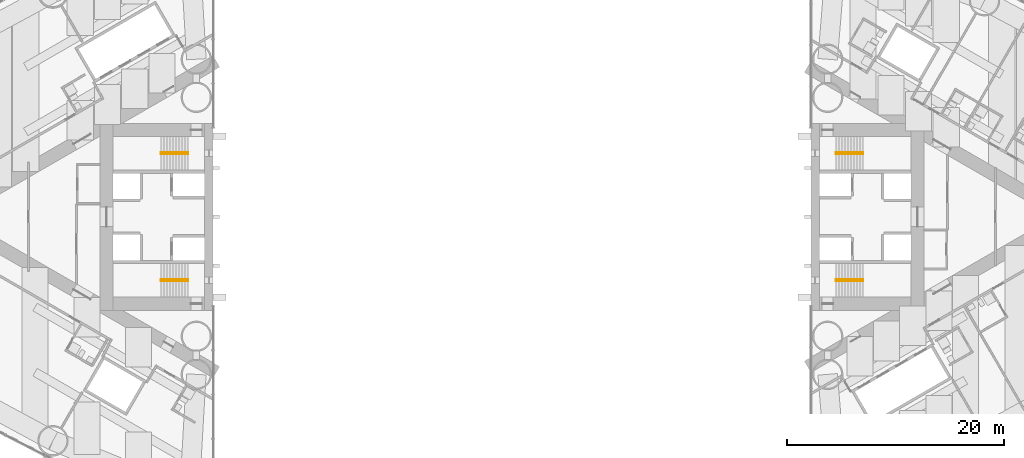
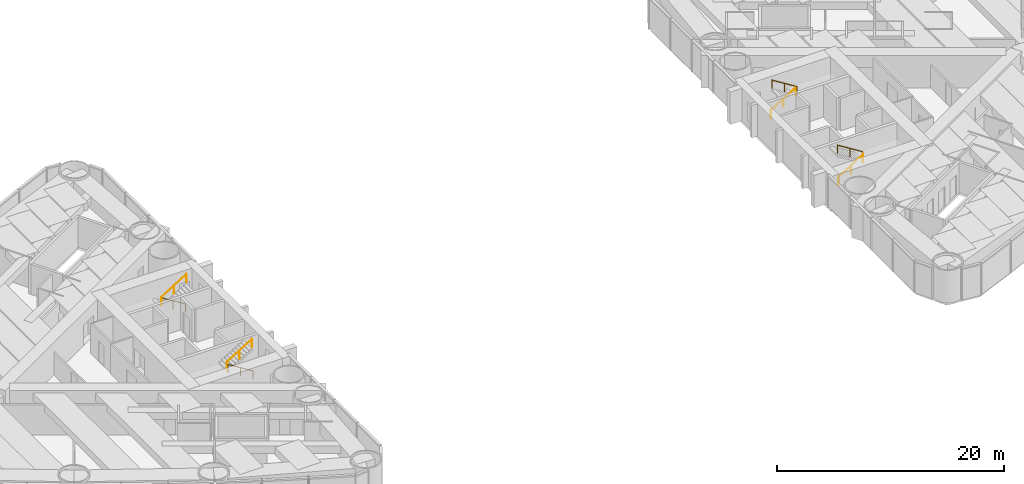
# One storey, part 17 of 18: 8 railings.
"""IFC4 building model written with IfcOpenShell, lengths in metres."""

from ifc_helpers import new_model, si_unit, direction, frame, origin, origin_2d, place, context, subcontext, project, spatial, circle, extrude, material, type_object, element, save


model = new_model("IFC4")

# Units and contexts
model_context = context("Model", 3, precision=1e-05, world=origin(), true_north=direction((0.0, 1.0)))
body_context = subcontext(model_context, "Body", "Model", "MODEL_VIEW")
ifc_project = project(units=[si_unit("LENGTHUNIT", "METRE"), si_unit("AREAUNIT", "SQUARE_METRE"), si_unit("VOLUMEUNIT", "CUBIC_METRE"), si_unit("PLANEANGLEUNIT", "RADIAN"), si_unit("MASSUNIT", "GRAM", prefix="KILO")], contexts=[model_context])

# Site, building, storey
site_placement = place(None, origin())
site = spatial("IfcSite", under=ifc_project, at=site_placement, CompositionType="ELEMENT")
building_placement = place(site_placement, origin())
building = spatial("IfcBuilding", under=site, at=building_placement, Name="Lancet Gate Hotel", CompositionType="ELEMENT")
storey_placement = place(building_placement, frame((0.0, 0.0, 42.5)))
storey = spatial("IfcBuildingStorey", under=building, at=storey_placement, Name="L10", CompositionType="ELEMENT", Elevation=42.5)

# Railings
ifc_material = material(Name="Stainless steel handrail", Category="steel")
railing_type = type_object("IfcRailingType", Name="Stair handrail 900", PredefinedType="HANDRAIL", material=ifc_material)
railing_1_placement = place(storey_placement, frame((-29.800048828125, 5.929931640625, 0.175048828125)))
element("IfcRailing", 1, at=railing_1_placement, inside=storey, type_object=railing_type, Name="ST1 handrail flight 1 L10", PredefinedType="HANDRAIL", context=body_context, shape_type="SweptSolid", body=[
    extrude(circle(Radius=0.02392578125, at=origin_2d()), frame((0.0, 0.0, 0.8759765625), z_axis=(-0.848007534815, 0.0, 0.529984170421), x_axis=(0.0, -1.0, 0.0)), (0.0, 0.0, 1.0), 2.9716796875),
    extrude(circle(Radius=0.02099609375, at=origin_2d()), origin(), (0.0, 0.0, 1.0), 0.851806640625),
    extrude(circle(Radius=0.02099609375, at=origin_2d()), frame((-1.260009765625, 0.0, 0.78759765625)), (0.0, 0.0, 1.0), 0.851806640625),
    extrude(circle(Radius=0.02099609375, at=origin_2d()), frame((-2.52001953125, 0.0, 1.574951171875)), (0.0, 0.0, 1.0), 0.851806640625),
])
railing_2_placement = place(storey_placement, frame((-32.320068359375, 5.77001953125, 1.925048828125)))
element("IfcRailing", 2, at=railing_2_placement, inside=storey, type_object=railing_type, Name="ST1 handrail flight 2 L10", PredefinedType="HANDRAIL", context=body_context, shape_type="SweptSolid", body=[
    extrude(circle(Radius=0.02392578125, at=origin_2d()), frame((0.0, 0.0, 0.8759765625), z_axis=(0.848007534815, 0.0, 0.529984170421), x_axis=(0.0, 1.0, 0.0)), (0.0, 0.0, 1.0), 2.9716796875),
    extrude(circle(Radius=0.02099609375, at=origin_2d()), origin(), (0.0, 0.0, 1.0), 0.851806640625),
    extrude(circle(Radius=0.02099609375, at=origin_2d()), frame((1.260009765625, 0.0, 0.78759765625)), (0.0, 0.0, 1.0), 0.851806640625),
    extrude(circle(Radius=0.02099609375, at=origin_2d()), frame((2.52001953125, 0.0, 1.574951171875)), (0.0, 0.0, 1.0), 0.851806640625),
])
railing_3_placement = place(storey_placement, frame((-29.800048828125, -5.929931640625, 0.175048828125)))
element("IfcRailing", 3, at=railing_3_placement, inside=storey, type_object=railing_type, Name="ST2 handrail flight 1 L10", PredefinedType="HANDRAIL", context=body_context, shape_type="SweptSolid", body=[
    extrude(circle(Radius=0.02392578125, at=origin_2d()), frame((0.0, 0.0, 0.8759765625), z_axis=(-0.848007534815, 0.0, 0.529984170421), x_axis=(0.0, -1.0, 0.0)), (0.0, 0.0, 1.0), 2.9716796875),
    extrude(circle(Radius=0.02099609375, at=origin_2d()), origin(), (0.0, 0.0, 1.0), 0.851806640625),
    extrude(circle(Radius=0.02099609375, at=origin_2d()), frame((-1.260009765625, 0.0, 0.78759765625)), (0.0, 0.0, 1.0), 0.851806640625),
    extrude(circle(Radius=0.02099609375, at=origin_2d()), frame((-2.52001953125, 0.0, 1.574951171875)), (0.0, 0.0, 1.0), 0.851806640625),
])
for number, where, name in (
    (4, (-32.320068359375, -5.77001953125, 1.925048828125), "ST2 handrail flight 2 L10"),
    (5, (29.800048828125, -5.929931640625, 0.175048828125), "ST3 handrail flight 1 L10"),
):
    element("IfcRailing", number, at=place(storey_placement, frame(where)), inside=storey, type_object=railing_type, Name=name, PredefinedType="HANDRAIL", context=body_context, shape_type="SweptSolid", body=[
        extrude(circle(Radius=0.02392578125, at=origin_2d()), frame((0.0, 0.0, 0.8759765625), z_axis=(0.848007534815, 0.0, 0.529984170421), x_axis=(0.0, 1.0, 0.0)), (0.0, 0.0, 1.0), 2.9716796875),
        extrude(circle(Radius=0.02099609375, at=origin_2d()), origin(), (0.0, 0.0, 1.0), 0.851806640625),
        extrude(circle(Radius=0.02099609375, at=origin_2d()), frame((1.260009765625, 0.0, 0.78759765625)), (0.0, 0.0, 1.0), 0.851806640625),
        extrude(circle(Radius=0.02099609375, at=origin_2d()), frame((2.52001953125, 0.0, 1.574951171875)), (0.0, 0.0, 1.0), 0.851806640625),
    ])
railing_4_placement = place(storey_placement, frame((32.320068359375, -5.77001953125, 1.925048828125)))
element("IfcRailing", 6, at=railing_4_placement, inside=storey, type_object=railing_type, Name="ST3 handrail flight 2 L10", PredefinedType="HANDRAIL", context=body_context, shape_type="SweptSolid", body=[
    extrude(circle(Radius=0.02392578125, at=origin_2d()), frame((0.0, 0.0, 0.8759765625), z_axis=(-0.848007534815, 0.0, 0.529984170421), x_axis=(0.0, -1.0, 0.0)), (0.0, 0.0, 1.0), 2.9716796875),
    extrude(circle(Radius=0.02099609375, at=origin_2d()), origin(), (0.0, 0.0, 1.0), 0.851806640625),
    extrude(circle(Radius=0.02099609375, at=origin_2d()), frame((-1.260009765625, 0.0, 0.78759765625)), (0.0, 0.0, 1.0), 0.851806640625),
    extrude(circle(Radius=0.02099609375, at=origin_2d()), frame((-2.52001953125, 0.0, 1.574951171875)), (0.0, 0.0, 1.0), 0.851806640625),
])
railing_5_placement = place(storey_placement, frame((29.800048828125, 5.929931640625, 0.175048828125)))
element("IfcRailing", 7, at=railing_5_placement, inside=storey, type_object=railing_type, Name="ST4 handrail flight 1 L10", PredefinedType="HANDRAIL", context=body_context, shape_type="SweptSolid", body=[
    extrude(circle(Radius=0.02392578125, at=origin_2d()), frame((0.0, 0.0, 0.8759765625), z_axis=(0.848007534815, 0.0, 0.529984170421), x_axis=(0.0, 1.0, 0.0)), (0.0, 0.0, 1.0), 2.9716796875),
    extrude(circle(Radius=0.02099609375, at=origin_2d()), origin(), (0.0, 0.0, 1.0), 0.851806640625),
    extrude(circle(Radius=0.02099609375, at=origin_2d()), frame((1.260009765625, 0.0, 0.78759765625)), (0.0, 0.0, 1.0), 0.851806640625),
    extrude(circle(Radius=0.02099609375, at=origin_2d()), frame((2.52001953125, 0.0, 1.574951171875)), (0.0, 0.0, 1.0), 0.851806640625),
])
railing_6_placement = place(storey_placement, frame((32.320068359375, 5.77001953125, 1.925048828125)))
element("IfcRailing", 8, at=railing_6_placement, inside=storey, type_object=railing_type, Name="ST4 handrail flight 2 L10", PredefinedType="HANDRAIL", context=body_context, shape_type="SweptSolid", body=[
    extrude(circle(Radius=0.02392578125, at=origin_2d()), frame((0.0, 0.0, 0.8759765625), z_axis=(-0.848007534815, 0.0, 0.529984170421), x_axis=(0.0, -1.0, 0.0)), (0.0, 0.0, 1.0), 2.9716796875),
    extrude(circle(Radius=0.02099609375, at=origin_2d()), origin(), (0.0, 0.0, 1.0), 0.851806640625),
    extrude(circle(Radius=0.02099609375, at=origin_2d()), frame((-1.260009765625, 0.0, 0.78759765625)), (0.0, 0.0, 1.0), 0.851806640625),
    extrude(circle(Radius=0.02099609375, at=origin_2d()), frame((-2.52001953125, 0.0, 1.574951171875)), (0.0, 0.0, 1.0), 0.851806640625),
])

save(model, "model.ifc")
